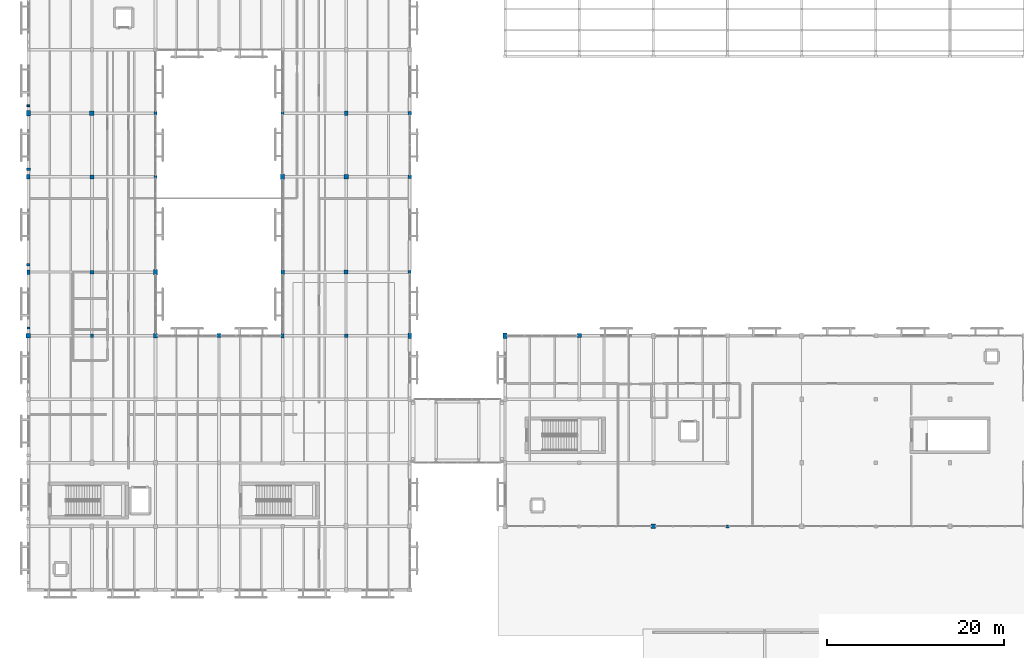
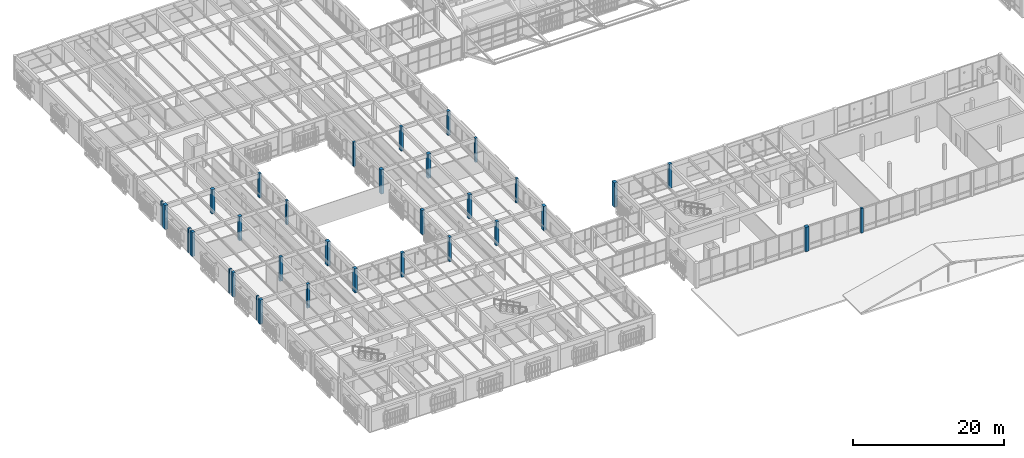
# One storey, part 3 of 217: 33 columns.
"""IFC4 building model written with IfcOpenShell, lengths in metres."""

from ifc_helpers import new_model, si_unit, direction, frame, origin, origin_2d, place, context, subcontext, project, spatial, rectangle, extrude, material, material_profile, profile_set, type_object, element, save


model = new_model("IFC4")

# Units and contexts
model_context = context("Model", 3, precision=1e-05, world=origin(), true_north=direction((0.0, 1.0)))
body_context = subcontext(model_context, "Body", "Model", "MODEL_VIEW")
ifc_project = project(units=[si_unit("LENGTHUNIT", "METRE"), si_unit("AREAUNIT", "SQUARE_METRE"), si_unit("VOLUMEUNIT", "CUBIC_METRE"), si_unit("PLANEANGLEUNIT", "RADIAN"), si_unit("MASSUNIT", "GRAM", prefix="KILO")], contexts=[model_context])

# Site, building, storey
site_placement = place(None, origin())
site = spatial("IfcSite", under=ifc_project, at=site_placement, CompositionType="ELEMENT")
building_placement = place(site_placement, origin())
building = spatial("IfcBuilding", under=site, at=building_placement, Name="Mazaris Harbour Polytechnic", CompositionType="ELEMENT")
storey_placement = place(building_placement, frame((0.0, 0.0, 9.60009765625)))
storey = spatial("IfcBuildingStorey", under=building, at=storey_placement, Name="L02", CompositionType="ELEMENT", Elevation=9.60009765625)

# Columns
ifc_material_1 = material(Name="Glulam GL28h", Category="wood")
ifc_material_profile_1 = material_profile(ifc_material_1, rectangle(XDim=0.340087890625, YDim=0.340087890625, at=origin_2d()), Name="RECT340x340")
ifc_profile_set_1 = profile_set([ifc_material_profile_1], Name="Glulam GL28h")
column_type_1 = type_object("IfcColumnType", Name="Glulam Column 340x340", PredefinedType="COLUMN", material=ifc_profile_set_1)
for number, where, z_axis, x_axis, name in (
    (1, (14.39990234375, 54.0, 0.0), (0.0, 0.0, 1.0), (1.0, 0.0, 0.0), "V4 L02 Column 848"),
    (2, (28.800048828125, 61.199951171875, 0.0), (0.0, 0.0, 1.0), (1.0, 0.0, 0.0), "V4 L02 Column 872"),
):
    element("IfcColumn", number, at=place(storey_placement, frame(where, z_axis=z_axis, x_axis=x_axis)), inside=storey, type_object=column_type_1, Name=name, PredefinedType="COLUMN", context=body_context, shape_type="SweptSolid", body=[
        extrude(rectangle(XDim=0.340087890625, YDim=0.340087890625, at=origin_2d()), origin(), (0.0, 0.0, 1.0), 3.889892578125),
    ])
ifc_material_2 = material(Name="Glulam GL28h", Category="wood")
ifc_material_profile_2 = material_profile(ifc_material_2, rectangle(XDim=0.340087890625, YDim=0.340087890625, at=origin_2d()), Name="RECT340x340")
ifc_profile_set_2 = profile_set([ifc_material_profile_2], Name="Glulam GL28h")
column_type_2 = type_object("IfcColumnType", Name="Glulam Column 340x340 Exterior", PredefinedType="COLUMN", material=ifc_profile_set_2)
column_1_placement = place(storey_placement, frame((79.199951171875, 14.39990234375, 0.0), z_axis=(0.0, 0.0, 1.0), x_axis=(1.0, 0.0, 0.0)))
element("IfcColumn", 3, at=column_1_placement, inside=storey, type_object=column_type_2, Name="V3 L02 Column 520", PredefinedType="COLUMN", context=body_context, shape_type="SweptSolid", body=[
    extrude(rectangle(XDim=0.340087890625, YDim=0.340087890625, at=origin_2d()), origin(), (0.0, 0.0, 1.0), 3.9599609375),
])
column_2_placement = place(storey_placement, frame((43.199951171875, 43.199951171875, 0.0), z_axis=(0.0, 0.0, 1.0), x_axis=(1.0, 0.0, 0.0)))
element("IfcColumn", 4, at=column_2_placement, inside=storey, type_object=column_type_2, Name="V4 L02 Column 896", PredefinedType="COLUMN", context=body_context, shape_type="SweptSolid", body=[
    extrude(rectangle(XDim=0.340087890625, YDim=0.340087890625, at=origin_2d()), origin(), (0.0, 0.0, 1.0), 3.889892578125),
])
ifc_material_3 = material(Name="Glulam GL28h", Category="wood")
ifc_material_profile_3 = material_profile(ifc_material_3, rectangle(XDim=0.360107421875, YDim=0.47998046875, at=origin_2d()), Name="RECT360x480")
ifc_profile_set_3 = profile_set([ifc_material_profile_3], Name="Glulam GL28h")
column_type_3 = type_object("IfcColumnType", Name="Glulam Column 360x480", PredefinedType="COLUMN", material=ifc_profile_set_3)
for number, where, z_axis, x_axis, name in (
    (5, (28.800048828125, 36.0, 0.0), (0.0, 0.0, 1.0), (1.0, 0.0, 0.0), "V4 L02 Column 869"),
    (6, (36.0, 61.199951171875, 0.0), (0.0, 0.0, 1.0), (1.0, 0.0, 0.0), "V4 L02 Column 885"),
):
    element("IfcColumn", number, at=place(storey_placement, frame(where, z_axis=z_axis, x_axis=x_axis)), inside=storey, type_object=column_type_3, Name=name, PredefinedType="COLUMN", context=body_context, shape_type="SweptSolid", body=[
        extrude(rectangle(XDim=0.360107421875, YDim=0.47998046875, at=origin_2d()), origin(), (0.0, 0.0, 1.0), 3.889892578125),
    ])
ifc_material_4 = material(Name="Glulam GL28h", Category="wood")
ifc_material_profile_4 = material_profile(ifc_material_4, rectangle(XDim=0.360107421875, YDim=0.47998046875, at=origin_2d()), Name="RECT360x480")
ifc_profile_set_4 = profile_set([ifc_material_profile_4], Name="Glulam GL28h")
column_type_4 = type_object("IfcColumnType", Name="Glulam Column 360x480 Exterior", PredefinedType="COLUMN", material=ifc_profile_set_4)
column_3_placement = place(storey_placement, frame((0.0, 43.199951171875, 0.0), z_axis=(0.0, 0.0, 1.0), x_axis=(1.0, 0.0, 0.0)))
element("IfcColumn", 7, at=column_3_placement, inside=storey, type_object=column_type_4, Name="V4 L02 Column 821", PredefinedType="COLUMN", context=body_context, shape_type="SweptSolid", body=[
    extrude(rectangle(XDim=0.360107421875, YDim=0.47998046875, at=origin_2d()), origin(), (0.0, 0.0, 1.0), 3.889892578125),
])
ifc_material_5 = material(Name="Glulam GL28h", Category="wood")
ifc_material_profile_5 = material_profile(ifc_material_5, rectangle(XDim=0.3798828125, YDim=0.3798828125, at=origin_2d()), Name="RECT380x380")
ifc_profile_set_5 = profile_set([ifc_material_profile_5], Name="Glulam GL28h")
column_type_5 = type_object("IfcColumnType", Name="Glulam Column 380x380", PredefinedType="COLUMN", material=ifc_profile_set_5)
for number, where, z_axis, x_axis, name in (
    (8, (7.199951171875, 36.0, 0.0), (0.0, 0.0, 1.0), (1.0, 0.0, 0.0), "V4 L02 Column 833"),
    (9, (14.39990234375, 61.199951171875, 0.0), (0.0, 0.0, 1.0), (1.0, 0.0, 0.0), "V4 L02 Column 849"),
):
    element("IfcColumn", number, at=place(storey_placement, frame(where, z_axis=z_axis, x_axis=x_axis)), inside=storey, type_object=column_type_5, Name=name, PredefinedType="COLUMN", context=body_context, shape_type="SweptSolid", body=[
        extrude(rectangle(XDim=0.3798828125, YDim=0.3798828125, at=origin_2d()), origin(), (0.0, 0.0, 1.0), 3.889892578125),
    ])
ifc_material_6 = material(Name="Glulam GL28h", Category="wood")
ifc_material_profile_6 = material_profile(ifc_material_6, rectangle(XDim=0.3798828125, YDim=0.3798828125, at=origin_2d()), Name="RECT380x380")
ifc_profile_set_6 = profile_set([ifc_material_profile_6], Name="Glulam GL28h")
column_type_6 = type_object("IfcColumnType", Name="Glulam Column 380x380 Exterior", PredefinedType="COLUMN", material=ifc_profile_set_6)
column_4_placement = place(storey_placement, frame((43.199951171875, 54.0, 0.0), z_axis=(0.0, 0.0, 1.0), x_axis=(1.0, 0.0, 0.0)))
element("IfcColumn", 10, at=column_4_placement, inside=storey, type_object=column_type_6, Name="V4 L02 Column 897", PredefinedType="COLUMN", context=body_context, shape_type="SweptSolid", body=[
    extrude(rectangle(XDim=0.3798828125, YDim=0.3798828125, at=origin_2d()), origin(), (0.0, 0.0, 1.0), 3.889892578125),
])
ifc_material_7 = material(Name="Glulam GL28h", Category="wood")
ifc_material_profile_7 = material_profile(ifc_material_7, rectangle(XDim=0.39990234375, YDim=0.5400390625, at=origin_2d()), Name="RECT400x540")
ifc_profile_set_7 = profile_set([ifc_material_profile_7], Name="Glulam GL28h")
column_type_7 = type_object("IfcColumnType", Name="Glulam Column 400x540", PredefinedType="COLUMN", material=ifc_profile_set_7)
for number, where, z_axis, x_axis, name in (
    (11, (14.39990234375, 36.0, 0.0), (0.0, 0.0, 1.0), (1.0, 0.0, 0.0), "V4 L02 Column 846"),
    (12, (28.800048828125, 43.199951171875, 0.0), (0.0, 0.0, 1.0), (1.0, 0.0, 0.0), "V4 L02 Column 870"),
):
    element("IfcColumn", number, at=place(storey_placement, frame(where, z_axis=z_axis, x_axis=x_axis)), inside=storey, type_object=column_type_7, Name=name, PredefinedType="COLUMN", context=body_context, shape_type="SweptSolid", body=[
        extrude(rectangle(XDim=0.39990234375, YDim=0.5400390625, at=origin_2d()), origin(), (0.0, 0.0, 1.0), 3.889892578125),
    ])
ifc_material_8 = material(Name="Glulam GL28h", Category="wood")
ifc_material_profile_8 = material_profile(ifc_material_8, rectangle(XDim=0.39990234375, YDim=0.5400390625, at=origin_2d()), Name="RECT400x540")
ifc_profile_set_8 = profile_set([ifc_material_profile_8], Name="Glulam GL28h")
column_type_8 = type_object("IfcColumnType", Name="Glulam Column 400x540 Exterior", PredefinedType="COLUMN", material=ifc_profile_set_8)
column_5_placement = place(storey_placement, frame((0.0, 54.0, 0.0), z_axis=(0.0, 0.0, 1.0), x_axis=(1.0, 0.0, 0.0)))
element("IfcColumn", 13, at=column_5_placement, inside=storey, type_object=column_type_8, Name="V4 L02 Column 822", PredefinedType="COLUMN", context=body_context, shape_type="SweptSolid", body=[
    extrude(rectangle(XDim=0.39990234375, YDim=0.5400390625, at=origin_2d()), origin(), (0.0, 0.0, 1.0), 3.889892578125),
])
ifc_material_9 = material(Name="Glulam GL28h", Category="wood")
ifc_material_profile_9 = material_profile(ifc_material_9, rectangle(XDim=0.419921875, YDim=0.419921875, at=origin_2d()), Name="RECT420x420")
ifc_profile_set_9 = profile_set([ifc_material_profile_9], Name="Glulam GL28h")
column_type_9 = type_object("IfcColumnType", Name="Glulam Column 420x420", PredefinedType="COLUMN", material=ifc_profile_set_9)
for number, where, z_axis, x_axis, name in (
    (14, (7.199951171875, 43.199951171875, 0.0), (0.0, 0.0, 1.0), (1.0, 0.0, 0.0), "V4 L02 Column 834"),
    (15, (36.0, 36.0, 0.0), (0.0, 0.0, 1.0), (1.0, 0.0, 0.0), "V4 L02 Column 882"),
):
    element("IfcColumn", number, at=place(storey_placement, frame(where, z_axis=z_axis, x_axis=x_axis)), inside=storey, type_object=column_type_9, Name=name, PredefinedType="COLUMN", context=body_context, shape_type="SweptSolid", body=[
        extrude(rectangle(XDim=0.419921875, YDim=0.419921875, at=origin_2d()), origin(), (0.0, 0.0, 1.0), 3.889892578125),
    ])
ifc_material_10 = material(Name="Glulam GL28h", Category="wood")
ifc_material_profile_10 = material_profile(ifc_material_10, rectangle(XDim=0.419921875, YDim=0.419921875, at=origin_2d()), Name="RECT420x420")
ifc_profile_set_10 = profile_set([ifc_material_profile_10], Name="Glulam GL28h")
column_type_10 = type_object("IfcColumnType", Name="Glulam Column 420x420 Exterior", PredefinedType="COLUMN", material=ifc_profile_set_10)
column_6_placement = place(storey_placement, frame((43.199951171875, 61.199951171875, 0.0), z_axis=(0.0, 0.0, 1.0), x_axis=(1.0, 0.0, 0.0)))
element("IfcColumn", 16, at=column_6_placement, inside=storey, type_object=column_type_10, Name="V4 L02 Column 898", PredefinedType="COLUMN", context=body_context, shape_type="SweptSolid", body=[
    extrude(rectangle(XDim=0.419921875, YDim=0.419921875, at=origin_2d()), origin(), (0.0, 0.0, 1.0), 3.889892578125),
])
ifc_material_11 = material(Name="Glulam GL28h", Category="wood")
ifc_material_profile_11 = material_profile(ifc_material_11, rectangle(XDim=0.43994140625, YDim=0.60009765625, at=origin_2d()), Name="RECT440x600")
ifc_profile_set_11 = profile_set([ifc_material_profile_11], Name="Glulam GL28h")
column_type_11 = type_object("IfcColumnType", Name="Glulam Column 440x600", PredefinedType="COLUMN", material=ifc_profile_set_11)
for number, where, z_axis, x_axis, name in (
    (17, (14.39990234375, 43.199951171875, 0.0), (0.0, 0.0, 1.0), (1.0, 0.0, 0.0), "V4 L02 Column 847"),
    (18, (28.800048828125, 54.0, 0.0), (0.0, 0.0, 1.0), (1.0, 0.0, 0.0), "V4 L02 Column 871"),
):
    element("IfcColumn", number, at=place(storey_placement, frame(where, z_axis=z_axis, x_axis=x_axis)), inside=storey, type_object=column_type_11, Name=name, PredefinedType="COLUMN", context=body_context, shape_type="SweptSolid", body=[
        extrude(rectangle(XDim=0.43994140625, YDim=0.60009765625, at=origin_2d()), origin(), (0.0, 0.0, 1.0), 3.889892578125),
    ])
ifc_material_12 = material(Name="Glulam GL28h", Category="wood")
ifc_material_profile_12 = material_profile(ifc_material_12, rectangle(XDim=0.43994140625, YDim=0.60009765625, at=origin_2d()), Name="RECT440x600")
ifc_profile_set_12 = profile_set([ifc_material_profile_12], Name="Glulam GL28h")
column_type_12 = type_object("IfcColumnType", Name="Glulam Column 440x600 Exterior", PredefinedType="COLUMN", material=ifc_profile_set_12)
column_7_placement = place(storey_placement, frame((54.0, 36.0, 0.0), z_axis=(0.0, 0.0, 1.0), x_axis=(1.0, 0.0, 0.0)))
element("IfcColumn", 19, at=column_7_placement, inside=storey, type_object=column_type_12, Name="V3 L02 Column 511", PredefinedType="COLUMN", context=body_context, shape_type="SweptSolid", body=[
    extrude(rectangle(XDim=0.43994140625, YDim=0.60009765625, at=origin_2d()), origin(), (0.0, 0.0, 1.0), 3.934814453125),
])
for number, where, z_axis, x_axis, name in (
    (20, (0.0, 61.199951171875, 0.0), (0.0, 0.0, 1.0), (1.0, 0.0, 0.0), "V4 L02 Column 823"),
    (21, (43.199951171875, 36.0, 0.0), (0.0, 0.0, 1.0), (1.0, 0.0, 0.0), "V4 L02 Column 895"),
):
    element("IfcColumn", number, at=place(storey_placement, frame(where, z_axis=z_axis, x_axis=x_axis)), inside=storey, type_object=column_type_12, Name=name, PredefinedType="COLUMN", context=body_context, shape_type="SweptSolid", body=[
        extrude(rectangle(XDim=0.43994140625, YDim=0.60009765625, at=origin_2d()), origin(), (0.0, 0.0, 1.0), 3.889892578125),
    ])
ifc_material_13 = material(Name="Glulam GL28h", Category="wood")
ifc_material_profile_13 = material_profile(ifc_material_13, rectangle(XDim=0.4599609375, YDim=0.4599609375, at=origin_2d()), Name="RECT460x460")
ifc_profile_set_13 = profile_set([ifc_material_profile_13], Name="Glulam GL28h")
column_type_13 = type_object("IfcColumnType", Name="Glulam Column 460x460", PredefinedType="COLUMN", material=ifc_profile_set_13)
for number, where, z_axis, x_axis, name in (
    (22, (7.199951171875, 54.0, 0.0), (0.0, 0.0, 1.0), (1.0, 0.0, 0.0), "V4 L02 Column 835"),
    (23, (21.60009765625, 36.0, 0.0), (0.0, 0.0, 1.0), (1.0, 0.0, 0.0), "V4 L02 Column 859"),
    (24, (36.0, 43.199951171875, 0.0), (0.0, 0.0, 1.0), (1.0, 0.0, 0.0), "V4 L02 Column 883"),
):
    element("IfcColumn", number, at=place(storey_placement, frame(where, z_axis=z_axis, x_axis=x_axis)), inside=storey, type_object=column_type_13, Name=name, PredefinedType="COLUMN", context=body_context, shape_type="SweptSolid", body=[
        extrude(rectangle(XDim=0.4599609375, YDim=0.4599609375, at=origin_2d()), origin(), (0.0, 0.0, 1.0), 3.889892578125),
    ])
ifc_material_14 = material(Name="Glulam GL28h", Category="wood")
ifc_material_profile_14 = material_profile(ifc_material_14, rectangle(XDim=0.4599609375, YDim=0.4599609375, at=origin_2d()), Name="RECT460x460")
ifc_profile_set_14 = profile_set([ifc_material_profile_14], Name="Glulam GL28h")
column_type_14 = type_object("IfcColumnType", Name="Glulam Column 460x460 Exterior", PredefinedType="COLUMN", material=ifc_profile_set_14)
column_8_placement = place(storey_placement, frame((62.39990234375, 36.0, 0.0), z_axis=(0.0, 0.0, 1.0), x_axis=(1.0, 0.0, 0.0)))
element("IfcColumn", 25, at=column_8_placement, inside=storey, type_object=column_type_14, Name="V3 L02 Column 515", PredefinedType="COLUMN", context=body_context, shape_type="SweptSolid", body=[
    extrude(rectangle(XDim=0.4599609375, YDim=0.4599609375, at=origin_2d()), origin(), (0.0, 0.0, 1.0), 3.934814453125),
])
ifc_material_15 = material(Name="Glulam GL28h", Category="wood")
ifc_material_profile_15 = material_profile(ifc_material_15, rectangle(XDim=0.5, YDim=0.5, at=origin_2d()), Name="RECT500x500")
ifc_profile_set_15 = profile_set([ifc_material_profile_15], Name="Glulam GL28h")
column_type_15 = type_object("IfcColumnType", Name="Glulam Column 500x500", PredefinedType="COLUMN", material=ifc_profile_set_15)
for number, where, z_axis, x_axis, name in (
    (26, (7.199951171875, 61.199951171875, 0.0), (0.0, 0.0, 1.0), (1.0, 0.0, 0.0), "V4 L02 Column 836"),
    (27, (36.0, 54.0, 0.0), (0.0, 0.0, 1.0), (1.0, 0.0, 0.0), "V4 L02 Column 884"),
):
    element("IfcColumn", number, at=place(storey_placement, frame(where, z_axis=z_axis, x_axis=x_axis)), inside=storey, type_object=column_type_15, Name=name, PredefinedType="COLUMN", context=body_context, shape_type="SweptSolid", body=[
        extrude(rectangle(XDim=0.5, YDim=0.5, at=origin_2d()), origin(), (0.0, 0.0, 1.0), 3.889892578125),
    ])
ifc_material_16 = material(Name="Glulam GL28h", Category="wood")
ifc_material_profile_16 = material_profile(ifc_material_16, rectangle(XDim=0.5, YDim=0.5, at=origin_2d()), Name="RECT500x500")
ifc_profile_set_16 = profile_set([ifc_material_profile_16], Name="Glulam GL28h")
column_type_16 = type_object("IfcColumnType", Name="Glulam Column 500x500 Exterior", PredefinedType="COLUMN", material=ifc_profile_set_16)
column_9_placement = place(storey_placement, frame((70.800048828125, 14.39990234375, 0.0), z_axis=(0.0, 0.0, 1.0), x_axis=(1.0, 0.0, 0.0)))
element("IfcColumn", 28, at=column_9_placement, inside=storey, type_object=column_type_16, Name="V3 L02 Column 516", PredefinedType="COLUMN", context=body_context, shape_type="SweptSolid", body=[
    extrude(rectangle(XDim=0.5, YDim=0.5, at=origin_2d()), origin(), (0.0, 0.0, 1.0), 3.9599609375),
])
column_10_placement = place(storey_placement, frame((0.0, 36.0, 0.0), z_axis=(0.0, 0.0, 1.0), x_axis=(1.0, 0.0, 0.0)))
element("IfcColumn", 29, at=column_10_placement, inside=storey, type_object=column_type_16, Name="V4 L02 Column 820", PredefinedType="COLUMN", context=body_context, shape_type="SweptSolid", body=[
    extrude(rectangle(XDim=0.5, YDim=0.5, at=origin_2d()), origin(), (0.0, 0.0, 1.0), 3.889892578125),
])
ifc_material_17 = material(Name="Concrete C35/45", Category="concrete")
ifc_material_profile_17 = material_profile(ifc_material_17, rectangle(XDim=0.320068359375, YDim=0.219970703125, at=origin_2d()), Name="RECT320x220")
ifc_profile_set_17 = profile_set([ifc_material_profile_17], Name="Concrete C35/45")
column_type_17 = type_object("IfcColumnType", Name="Limestone Pilaster 320x220", PredefinedType="PILASTER", material=ifc_profile_set_17)
column_11_placement = place(storey_placement, frame((0.0, 62.050048828125, 0.0), z_axis=(0.0, 0.0, 1.0), x_axis=(1.0, 0.0, 0.0)))
element("IfcColumn", 30, at=column_11_placement, inside=storey, type_object=column_type_17, Name="V4 L02 Giant Order Pilaster 44", PredefinedType="PILASTER", context=body_context, shape_type="SweptSolid", body=[
    extrude(rectangle(XDim=0.320068359375, YDim=0.219970703125, at=origin_2d()), origin(), (0.0, 0.0, 1.0), 3.889892578125),
])
ifc_material_18 = material(Name="Concrete C35/45", Category="concrete")
ifc_material_profile_18 = material_profile(ifc_material_18, rectangle(XDim=0.360107421875, YDim=0.239990234375, at=origin_2d()), Name="RECT360x240")
ifc_profile_set_18 = profile_set([ifc_material_profile_18], Name="Concrete C35/45")
column_type_18 = type_object("IfcColumnType", Name="Limestone Pilaster 360x240", PredefinedType="PILASTER", material=ifc_profile_set_18)
column_12_placement = place(storey_placement, frame((0.0, 36.85009765625, 0.0), z_axis=(0.0, 0.0, 1.0), x_axis=(1.0, 0.0, 0.0)))
element("IfcColumn", 31, at=column_12_placement, inside=storey, type_object=column_type_18, Name="V4 L02 Giant Order Pilaster 41", PredefinedType="PILASTER", context=body_context, shape_type="SweptSolid", body=[
    extrude(rectangle(XDim=0.360107421875, YDim=0.239990234375, at=origin_2d()), origin(), (0.0, 0.0, 1.0), 3.889892578125),
])
ifc_material_19 = material(Name="Concrete C35/45", Category="concrete")
ifc_material_profile_19 = material_profile(ifc_material_19, rectangle(XDim=0.39990234375, YDim=0.260009765625, at=origin_2d()), Name="RECT400x260")
ifc_profile_set_19 = profile_set([ifc_material_profile_19], Name="Concrete C35/45")
column_type_19 = type_object("IfcColumnType", Name="Limestone Pilaster 400x260", PredefinedType="PILASTER", material=ifc_profile_set_19)
column_13_placement = place(storey_placement, frame((0.0, 44.050048828125, 0.0), z_axis=(0.0, 0.0, 1.0), x_axis=(1.0, 0.0, 0.0)))
element("IfcColumn", 32, at=column_13_placement, inside=storey, type_object=column_type_19, Name="V4 L02 Giant Order Pilaster 42", PredefinedType="PILASTER", context=body_context, shape_type="SweptSolid", body=[
    extrude(rectangle(XDim=0.39990234375, YDim=0.260009765625, at=origin_2d()), origin(), (0.0, 0.0, 1.0), 3.889892578125),
])
ifc_material_20 = material(Name="Concrete C35/45", Category="concrete")
ifc_material_profile_20 = material_profile(ifc_material_20, rectangle(XDim=0.43994140625, YDim=0.280029296875, at=origin_2d()), Name="RECT440x280")
ifc_profile_set_20 = profile_set([ifc_material_profile_20], Name="Concrete C35/45")
column_type_20 = type_object("IfcColumnType", Name="Limestone Pilaster 440x280", PredefinedType="PILASTER", material=ifc_profile_set_20)
column_14_placement = place(storey_placement, frame((0.0, 54.85009765625, 0.0), z_axis=(0.0, 0.0, 1.0), x_axis=(1.0, 0.0, 0.0)))
element("IfcColumn", 33, at=column_14_placement, inside=storey, type_object=column_type_20, Name="V4 L02 Giant Order Pilaster 43", PredefinedType="PILASTER", context=body_context, shape_type="SweptSolid", body=[
    extrude(rectangle(XDim=0.43994140625, YDim=0.280029296875, at=origin_2d()), origin(), (0.0, 0.0, 1.0), 3.889892578125),
])

save(model, "model.ifc")
